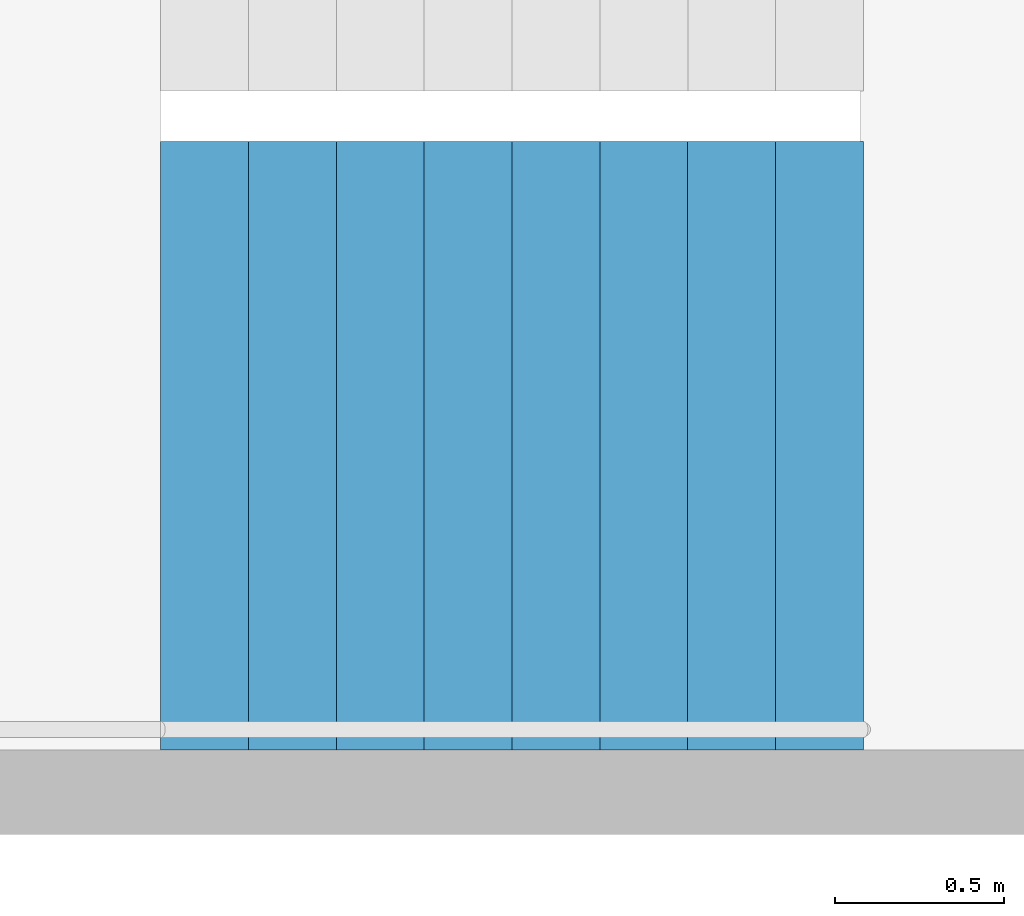
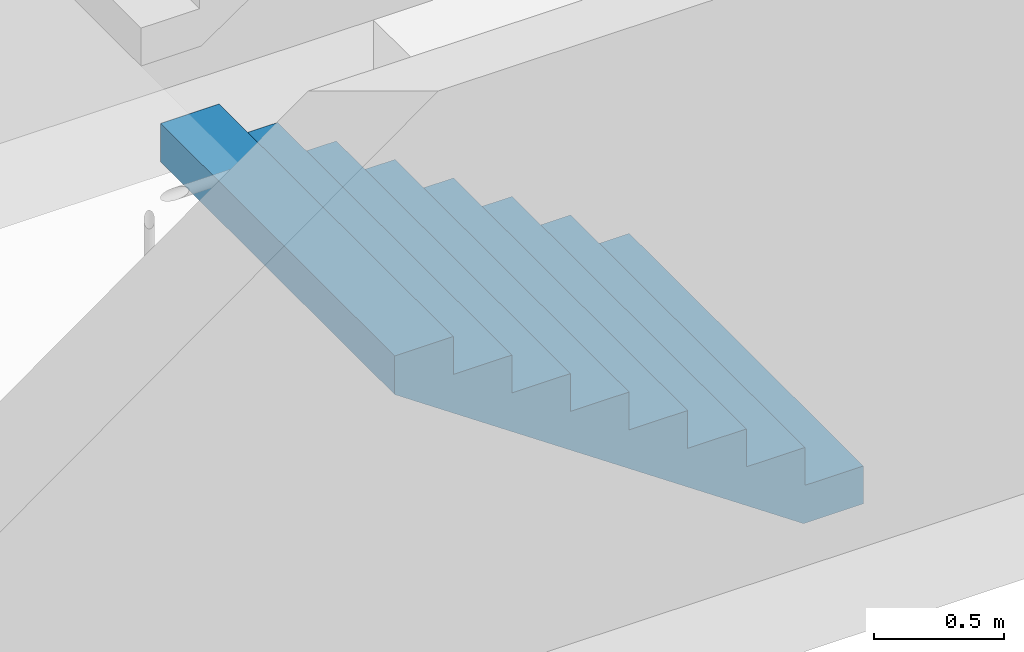
# One storey, part 26 of 28: 1 stair flight, 1 element without a shape of its own.
"""IFC4 building model written with IfcOpenShell, lengths in metres."""

from ifc_helpers import new_model, si_unit, direction, frame, origin, place, context, subcontext, project, spatial, triangles, material, type_object, element, aggregate, save


model = new_model("IFC4")

# Units and contexts
model_context = context("Model", 3, precision=1e-05, world=origin(), true_north=direction((0.0, 1.0)))
body_context = subcontext(model_context, "Body", "Model", "MODEL_VIEW")
ifc_project = project(units=[si_unit("LENGTHUNIT", "METRE"), si_unit("AREAUNIT", "SQUARE_METRE"), si_unit("VOLUMEUNIT", "CUBIC_METRE"), si_unit("PLANEANGLEUNIT", "RADIAN"), si_unit("MASSUNIT", "GRAM", prefix="KILO")], contexts=[model_context])

# Site, building, storey
site_placement = place(None, origin())
site = spatial("IfcSite", under=ifc_project, at=site_placement, CompositionType="ELEMENT")
building_placement = place(site_placement, origin())
building = spatial("IfcBuilding", under=site, at=building_placement, Name="Hakoniwa Tower and Hamabe Station Hall", CompositionType="ELEMENT")
storey_placement = place(building_placement, frame((0.0, 0.0, 48.60009765625)))
storey = spatial("IfcBuildingStorey", under=building, at=storey_placement, Name="L13", CompositionType="ELEMENT", Elevation=48.60009765625)

# Stair, stair flight
ifc_material_1 = material(Name="Concrete C40", Category="concrete")
stair_type = type_object("IfcStairType", Name="ESCAPE STAIR 1800", PredefinedType="HALF_TURN_STAIR", material=ifc_material_1)
stair_placement = place(storey_placement, origin())
stair = element("IfcStair", 1, at=stair_placement, inside=storey, type_object=stair_type, Name="Escape stair ST-3 L13", PredefinedType="HALF_TURN_STAIR")
ifc_material_2 = material(Name="Concrete C40", Category="concrete")
stair_flight_type = type_object("IfcStairFlightType", Name="STAIR FLIGHT 1800", PredefinedType="STRAIGHT", material=ifc_material_2)
stair_flight_placement = place(storey_placement, frame((24.39990234375, 4.64990234375, 0.0), z_axis=(0.0, 0.0, 1.0), x_axis=(-1.0, 0.0, 0.0)))
stair_flight = element("IfcStairFlight", 2, at=stair_flight_placement, type_object=stair_flight_type, Name="ST-3 flight 1", NumberOfRisers=9, NumberOfTreads=8, PredefinedType="STRAIGHT", RiserHeight=0.177777778, TreadLength=0.26, context=body_context, shape_type="Tessellation", body=[
    triangles([(0.0, 0.89990234375, 0.0), (0.260009765625, 0.89990234375, 0.0), (0.265625, 0.89990234375, 0.0), (0.52001953125, 0.89990234375, 0.174072265625), (0.780029296875, 0.89990234375, 0.351806640625), (1.0400390625, 0.89990234375, 0.529541015625), (1.300048828125, 0.89990234375, 0.707275390625), (1.56005859375, 0.89990234375, 0.885009765625), (1.820068359375, 0.89990234375, 1.062744140625), (2.080078125, 0.89990234375, 1.24072265625), (2.080078125, 0.89990234375, 1.422119140625), (1.820068359375, 0.89990234375, 1.422119140625), (1.820068359375, 0.89990234375, 1.244384765625), (1.56005859375, 0.89990234375, 1.244384765625), (1.56005859375, 0.89990234375, 1.066650390625), (1.300048828125, 0.89990234375, 1.066650390625), (1.300048828125, 0.89990234375, 0.888916015625), (1.0400390625, 0.89990234375, 0.888916015625), (1.0400390625, 0.89990234375, 0.711181640625), (0.780029296875, 0.89990234375, 0.711181640625), (0.780029296875, 0.89990234375, 0.533447265625), (0.52001953125, 0.89990234375, 0.533447265625), (0.52001953125, 0.89990234375, 0.35546875), (0.265625, 0.89990234375, 0.35546875), (0.260009765625, 0.89990234375, 0.35546875), (0.260009765625, 0.89990234375, 0.177734375), (0.0, 0.89990234375, 0.177734375), (0.0, 0.06005859375, 0.0), (0.260009765625, 0.06005859375, 0.0), (0.265625, 0.06005859375, 0.0), (0.52001953125, 0.06005859375, 0.174072265625), (0.780029296875, 0.06005859375, 0.351806640625), (1.0400390625, 0.06005859375, 0.529541015625), (1.300048828125, 0.06005859375, 0.707275390625), (1.56005859375, 0.06005859375, 0.885009765625), (1.820068359375, 0.06005859375, 1.062744140625), (2.080078125, 0.06005859375, 1.24072265625), (2.080078125, 0.06005859375, 1.422119140625), (1.820068359375, 0.06005859375, 1.422119140625), (1.820068359375, 0.06005859375, 1.244384765625), (1.56005859375, 0.06005859375, 1.244384765625), (1.56005859375, 0.06005859375, 1.066650390625), (1.300048828125, 0.06005859375, 1.066650390625), (1.300048828125, 0.06005859375, 0.888916015625), (1.0400390625, 0.06005859375, 0.888916015625), (1.0400390625, 0.06005859375, 0.711181640625), (0.780029296875, 0.06005859375, 0.711181640625), (0.780029296875, 0.06005859375, 0.533447265625), (0.52001953125, 0.06005859375, 0.533447265625), (0.52001953125, 0.06005859375, 0.35546875), (0.265625, 0.06005859375, 0.35546875), (0.260009765625, 0.06005859375, 0.35546875), (0.260009765625, 0.06005859375, 0.177734375), (0.0, 0.06005859375, 0.177734375), (0.0, 0.04296875, 0.0), (0.260009765625, 0.04296875, 0.0), (0.265625, 0.04296875, 0.0), (0.52001953125, 0.04296875, 0.174072265625), (0.780029296875, 0.04296875, 0.351806640625), (1.0400390625, 0.04296875, 0.529541015625), (1.300048828125, 0.04296875, 0.707275390625), (1.56005859375, 0.04296875, 0.885009765625), (1.820068359375, 0.04296875, 1.062744140625), (2.080078125, 0.04296875, 1.24072265625), (2.080078125, 0.04296875, 1.422119140625), (1.820068359375, 0.04296875, 1.422119140625), (1.820068359375, 0.04296875, 1.244384765625), (1.56005859375, 0.04296875, 1.244384765625), (1.56005859375, 0.04296875, 1.066650390625), (1.300048828125, 0.04296875, 1.066650390625), (1.300048828125, 0.04296875, 0.888916015625), (1.0400390625, 0.04296875, 0.888916015625), (1.0400390625, 0.04296875, 0.711181640625), (0.780029296875, 0.04296875, 0.711181640625), (0.780029296875, 0.04296875, 0.533447265625), (0.52001953125, 0.04296875, 0.533447265625), (0.52001953125, 0.04296875, 0.35546875), (0.265625, 0.04296875, 0.35546875), (0.260009765625, 0.04296875, 0.35546875), (0.260009765625, 0.04296875, 0.177734375), (0.0, 0.04296875, 0.177734375), (0.0, 0.025634765625, 0.0), (0.260009765625, 0.025634765625, 0.0), (0.265625, 0.025634765625, 0.0), (0.52001953125, 0.025634765625, 0.174072265625), (0.780029296875, 0.025634765625, 0.351806640625), (1.0400390625, 0.025634765625, 0.529541015625), (1.300048828125, 0.025634765625, 0.707275390625), (1.56005859375, 0.025634765625, 0.885009765625), (1.820068359375, 0.025634765625, 1.062744140625), (2.080078125, 0.025634765625, 1.24072265625), (2.080078125, 0.025634765625, 1.422119140625), (1.820068359375, 0.025634765625, 1.422119140625), (1.820068359375, 0.025634765625, 1.244384765625), (1.56005859375, 0.025634765625, 1.244384765625), (1.56005859375, 0.025634765625, 1.066650390625), (1.300048828125, 0.025634765625, 1.066650390625), (1.300048828125, 0.025634765625, 0.888916015625), (1.0400390625, 0.025634765625, 0.888916015625), (1.0400390625, 0.025634765625, 0.711181640625), (0.780029296875, 0.025634765625, 0.711181640625), (0.780029296875, 0.025634765625, 0.533447265625), (0.52001953125, 0.025634765625, 0.533447265625), (0.52001953125, 0.025634765625, 0.35546875), (0.265625, 0.025634765625, 0.35546875), (0.260009765625, 0.025634765625, 0.35546875), (0.260009765625, 0.025634765625, 0.177734375), (0.0, 0.025634765625, 0.177734375), (0.0, 0.008544921875, 0.0), (0.260009765625, 0.008544921875, 0.0), (0.265625, 0.008544921875, 0.0), (0.52001953125, 0.008544921875, 0.174072265625), (0.780029296875, 0.008544921875, 0.351806640625), (1.0400390625, 0.008544921875, 0.529541015625), (1.300048828125, 0.008544921875, 0.707275390625), (1.56005859375, 0.008544921875, 0.885009765625), (1.820068359375, 0.008544921875, 1.062744140625), (2.080078125, 0.008544921875, 1.24072265625), (2.080078125, 0.008544921875, 1.422119140625), (1.820068359375, 0.008544921875, 1.422119140625), (1.820068359375, 0.008544921875, 1.244384765625), (1.56005859375, 0.008544921875, 1.244384765625), (1.56005859375, 0.008544921875, 1.066650390625), (1.300048828125, 0.008544921875, 1.066650390625), (1.300048828125, 0.008544921875, 0.888916015625), (1.0400390625, 0.008544921875, 0.888916015625), (1.0400390625, 0.008544921875, 0.711181640625), (0.780029296875, 0.008544921875, 0.711181640625), (0.780029296875, 0.008544921875, 0.533447265625), (0.52001953125, 0.008544921875, 0.533447265625), (0.52001953125, 0.008544921875, 0.35546875), (0.265625, 0.008544921875, 0.35546875), (0.260009765625, 0.008544921875, 0.35546875), (0.260009765625, 0.008544921875, 0.177734375), (0.0, 0.008544921875, 0.177734375), (0.0, -0.008544921875, 0.0), (0.260009765625, -0.008544921875, 0.0), (0.265625, -0.008544921875, 0.0), (0.52001953125, -0.008544921875, 0.174072265625), (0.780029296875, -0.008544921875, 0.351806640625), (1.0400390625, -0.008544921875, 0.529541015625), (1.300048828125, -0.008544921875, 0.707275390625), (1.56005859375, -0.008544921875, 0.885009765625), (1.820068359375, -0.008544921875, 1.062744140625), (2.080078125, -0.008544921875, 1.24072265625), (2.080078125, -0.008544921875, 1.422119140625), (1.820068359375, -0.008544921875, 1.422119140625), (1.820068359375, -0.008544921875, 1.244384765625), (1.56005859375, -0.008544921875, 1.244384765625), (1.56005859375, -0.008544921875, 1.066650390625), (1.300048828125, -0.008544921875, 1.066650390625), (1.300048828125, -0.008544921875, 0.888916015625), (1.0400390625, -0.008544921875, 0.888916015625), (1.0400390625, -0.008544921875, 0.711181640625), (0.780029296875, -0.008544921875, 0.711181640625), (0.780029296875, -0.008544921875, 0.533447265625), (0.52001953125, -0.008544921875, 0.533447265625), (0.52001953125, -0.008544921875, 0.35546875), (0.265625, -0.008544921875, 0.35546875), (0.260009765625, -0.008544921875, 0.35546875), (0.260009765625, -0.008544921875, 0.177734375), (0.0, -0.008544921875, 0.177734375), (0.0, -0.025634765625, 0.0), (0.260009765625, -0.025634765625, 0.0), (0.265625, -0.025634765625, 0.0), (0.52001953125, -0.025634765625, 0.174072265625), (0.780029296875, -0.025634765625, 0.351806640625), (1.0400390625, -0.025634765625, 0.529541015625), (1.300048828125, -0.025634765625, 0.707275390625), (1.56005859375, -0.025634765625, 0.885009765625), (1.820068359375, -0.025634765625, 1.062744140625), (2.080078125, -0.025634765625, 1.24072265625), (2.080078125, -0.025634765625, 1.422119140625), (1.820068359375, -0.025634765625, 1.422119140625), (1.820068359375, -0.025634765625, 1.244384765625), (1.56005859375, -0.025634765625, 1.244384765625), (1.56005859375, -0.025634765625, 1.066650390625), (1.300048828125, -0.025634765625, 1.066650390625), (1.300048828125, -0.025634765625, 0.888916015625), (1.0400390625, -0.025634765625, 0.888916015625), (1.0400390625, -0.025634765625, 0.711181640625), (0.780029296875, -0.025634765625, 0.711181640625), (0.780029296875, -0.025634765625, 0.533447265625), (0.52001953125, -0.025634765625, 0.533447265625), (0.52001953125, -0.025634765625, 0.35546875), (0.265625, -0.025634765625, 0.35546875), (0.260009765625, -0.025634765625, 0.35546875), (0.260009765625, -0.025634765625, 0.177734375), (0.0, -0.025634765625, 0.177734375), (0.0, -0.04296875, 0.0), (0.260009765625, -0.04296875, 0.0), (0.265625, -0.04296875, 0.0), (0.52001953125, -0.04296875, 0.174072265625), (0.780029296875, -0.04296875, 0.351806640625), (1.0400390625, -0.04296875, 0.529541015625), (1.300048828125, -0.04296875, 0.707275390625), (1.56005859375, -0.04296875, 0.885009765625), (1.820068359375, -0.04296875, 1.062744140625), (2.080078125, -0.04296875, 1.24072265625), (2.080078125, -0.04296875, 1.422119140625), (1.820068359375, -0.04296875, 1.422119140625), (1.820068359375, -0.04296875, 1.244384765625), (1.56005859375, -0.04296875, 1.244384765625), (1.56005859375, -0.04296875, 1.066650390625), (1.300048828125, -0.04296875, 1.066650390625), (1.300048828125, -0.04296875, 0.888916015625), (1.0400390625, -0.04296875, 0.888916015625), (1.0400390625, -0.04296875, 0.711181640625), (0.780029296875, -0.04296875, 0.711181640625), (0.780029296875, -0.04296875, 0.533447265625), (0.52001953125, -0.04296875, 0.533447265625), (0.52001953125, -0.04296875, 0.35546875), (0.265625, -0.04296875, 0.35546875), (0.260009765625, -0.04296875, 0.35546875), (0.260009765625, -0.04296875, 0.177734375), (0.0, -0.04296875, 0.177734375), (0.0, -0.06005859375, 0.0), (0.260009765625, -0.06005859375, 0.0), (0.265625, -0.06005859375, 0.0), (0.52001953125, -0.06005859375, 0.174072265625), (0.780029296875, -0.06005859375, 0.351806640625), (1.0400390625, -0.06005859375, 0.529541015625), (1.300048828125, -0.06005859375, 0.707275390625), (1.56005859375, -0.06005859375, 0.885009765625), (1.820068359375, -0.06005859375, 1.062744140625), (2.080078125, -0.06005859375, 1.24072265625), (2.080078125, -0.06005859375, 1.422119140625), (1.820068359375, -0.06005859375, 1.422119140625), (1.820068359375, -0.06005859375, 1.244384765625), (1.56005859375, -0.06005859375, 1.244384765625), (1.56005859375, -0.06005859375, 1.066650390625), (1.300048828125, -0.06005859375, 1.066650390625), (1.300048828125, -0.06005859375, 0.888916015625), (1.0400390625, -0.06005859375, 0.888916015625), (1.0400390625, -0.06005859375, 0.711181640625), (0.780029296875, -0.06005859375, 0.711181640625), (0.780029296875, -0.06005859375, 0.533447265625), (0.52001953125, -0.06005859375, 0.533447265625), (0.52001953125, -0.06005859375, 0.35546875), (0.265625, -0.06005859375, 0.35546875), (0.260009765625, -0.06005859375, 0.35546875), (0.260009765625, -0.06005859375, 0.177734375), (0.0, -0.06005859375, 0.177734375), (0.0, -0.89990234375, 0.0), (0.260009765625, -0.89990234375, 0.0), (0.265625, -0.89990234375, 0.0), (0.52001953125, -0.89990234375, 0.174072265625), (0.780029296875, -0.89990234375, 0.351806640625), (1.0400390625, -0.89990234375, 0.529541015625), (1.300048828125, -0.89990234375, 0.707275390625), (1.56005859375, -0.89990234375, 0.885009765625), (1.820068359375, -0.89990234375, 1.062744140625), (2.080078125, -0.89990234375, 1.24072265625), (2.080078125, -0.89990234375, 1.422119140625), (1.820068359375, -0.89990234375, 1.422119140625), (1.820068359375, -0.89990234375, 1.244384765625), (1.56005859375, -0.89990234375, 1.244384765625), (1.56005859375, -0.89990234375, 1.066650390625), (1.300048828125, -0.89990234375, 1.066650390625), (1.300048828125, -0.89990234375, 0.888916015625), (1.0400390625, -0.89990234375, 0.888916015625), (1.0400390625, -0.89990234375, 0.711181640625), (0.780029296875, -0.89990234375, 0.711181640625), (0.780029296875, -0.89990234375, 0.533447265625), (0.52001953125, -0.89990234375, 0.533447265625), (0.52001953125, -0.89990234375, 0.35546875), (0.265625, -0.89990234375, 0.35546875), (0.260009765625, -0.89990234375, 0.35546875), (0.260009765625, -0.89990234375, 0.177734375), (0.0, -0.89990234375, 0.177734375)], [[2, 27, 26], [245, 269, 270], [2, 1, 27], [245, 270, 244], [3, 25, 24], [246, 267, 268], [3, 26, 25], [246, 268, 269], [3, 2, 26], [246, 269, 245], [4, 24, 23], [247, 266, 267], [4, 3, 24], [247, 267, 246], [5, 22, 21], [248, 264, 265], [5, 23, 22], [248, 265, 266], [5, 4, 23], [248, 266, 247], [6, 20, 19], [249, 262, 263], [6, 21, 20], [249, 263, 264], [6, 5, 21], [249, 264, 248], [7, 18, 17], [250, 260, 261], [7, 19, 18], [250, 261, 262], [7, 6, 19], [250, 262, 249], [8, 16, 15], [251, 258, 259], [8, 17, 16], [251, 259, 260], [8, 7, 17], [251, 260, 250], [9, 14, 13], [252, 256, 257], [9, 15, 14], [252, 257, 258], [9, 8, 15], [252, 258, 251], [10, 12, 11], [253, 254, 255], [10, 13, 12], [253, 255, 256], [10, 9, 13], [253, 256, 252], [1, 2, 29], [1, 29, 28], [28, 29, 56], [28, 56, 55], [55, 56, 83], [55, 83, 82], [82, 83, 110], [82, 110, 109], [109, 110, 137], [109, 137, 136], [136, 137, 164], [136, 164, 163], [163, 164, 191], [163, 191, 190], [190, 191, 218], [190, 218, 217], [217, 218, 245], [217, 245, 244], [2, 3, 30], [2, 30, 29], [29, 30, 57], [29, 57, 56], [56, 57, 84], [56, 84, 83], [83, 84, 111], [83, 111, 110], [110, 111, 138], [110, 138, 137], [137, 138, 165], [137, 165, 164], [164, 165, 192], [164, 192, 191], [191, 192, 219], [191, 219, 218], [218, 219, 246], [218, 246, 245], [3, 4, 31], [3, 31, 30], [30, 31, 58], [30, 58, 57], [57, 58, 85], [57, 85, 84], [84, 85, 112], [84, 112, 111], [111, 112, 139], [111, 139, 138], [138, 139, 166], [138, 166, 165], [165, 166, 193], [165, 193, 192], [192, 193, 220], [192, 220, 219], [219, 220, 247], [219, 247, 246], [4, 5, 32], [4, 32, 31], [31, 32, 59], [31, 59, 58], [58, 59, 86], [58, 86, 85], [85, 86, 113], [85, 113, 112], [112, 113, 140], [112, 140, 139], [139, 140, 167], [139, 167, 166], [166, 167, 194], [166, 194, 193], [193, 194, 221], [193, 221, 220], [220, 221, 248], [220, 248, 247], [5, 6, 33], [5, 33, 32], [32, 33, 60], [32, 60, 59], [59, 60, 87], [59, 87, 86], [86, 87, 114], [86, 114, 113], [113, 114, 141], [113, 141, 140], [140, 141, 168], [140, 168, 167], [167, 168, 195], [167, 195, 194], [194, 195, 222], [194, 222, 221], [221, 222, 249], [221, 249, 248], [6, 7, 34], [6, 34, 33], [33, 34, 61], [33, 61, 60], [60, 61, 88], [60, 88, 87], [87, 88, 115], [87, 115, 114], [114, 115, 142], [114, 142, 141], [141, 142, 169], [141, 169, 168], [168, 169, 196], [168, 196, 195], [195, 196, 223], [195, 223, 222], [222, 223, 250], [222, 250, 249], [7, 8, 35], [7, 35, 34], [34, 35, 62], [34, 62, 61], [61, 62, 89], [61, 89, 88], [88, 89, 116], [88, 116, 115], [115, 116, 143], [115, 143, 142], [142, 143, 170], [142, 170, 169], [169, 170, 197], [169, 197, 196], [196, 197, 224], [196, 224, 223], [223, 224, 251], [223, 251, 250], [8, 9, 36], [8, 36, 35], [35, 36, 63], [35, 63, 62], [62, 63, 90], [62, 90, 89], [89, 90, 117], [89, 117, 116], [116, 117, 144], [116, 144, 143], [143, 144, 171], [143, 171, 170], [170, 171, 198], [170, 198, 197], [197, 198, 225], [197, 225, 224], [224, 225, 252], [224, 252, 251], [9, 10, 37], [9, 37, 36], [36, 37, 64], [36, 64, 63], [63, 64, 91], [63, 91, 90], [90, 91, 118], [90, 118, 117], [117, 118, 145], [117, 145, 144], [144, 145, 172], [144, 172, 171], [171, 172, 199], [171, 199, 198], [198, 199, 226], [198, 226, 225], [225, 226, 253], [225, 253, 252], [10, 11, 38], [10, 38, 37], [37, 38, 65], [37, 65, 64], [64, 65, 92], [64, 92, 91], [91, 92, 119], [91, 119, 118], [118, 119, 146], [118, 146, 145], [145, 146, 173], [145, 173, 172], [172, 173, 200], [172, 200, 199], [199, 200, 227], [199, 227, 226], [226, 227, 254], [226, 254, 253], [11, 12, 39], [11, 39, 38], [38, 39, 66], [38, 66, 65], [65, 66, 93], [65, 93, 92], [92, 93, 120], [92, 120, 119], [119, 120, 147], [119, 147, 146], [146, 147, 174], [146, 174, 173], [173, 174, 201], [173, 201, 200], [200, 201, 228], [200, 228, 227], [227, 228, 255], [227, 255, 254], [12, 13, 40], [12, 40, 39], [39, 40, 67], [39, 67, 66], [66, 67, 94], [66, 94, 93], [93, 94, 121], [93, 121, 120], [120, 121, 148], [120, 148, 147], [147, 148, 175], [147, 175, 174], [174, 175, 202], [174, 202, 201], [201, 202, 229], [201, 229, 228], [228, 229, 256], [228, 256, 255], [13, 14, 41], [13, 41, 40], [40, 41, 68], [40, 68, 67], [67, 68, 95], [67, 95, 94], [94, 95, 122], [94, 122, 121], [121, 122, 149], [121, 149, 148], [148, 149, 176], [148, 176, 175], [175, 176, 203], [175, 203, 202], [202, 203, 230], [202, 230, 229], [229, 230, 257], [229, 257, 256], [14, 15, 42], [14, 42, 41], [41, 42, 69], [41, 69, 68], [68, 69, 96], [68, 96, 95], [95, 96, 123], [95, 123, 122], [122, 123, 150], [122, 150, 149], [149, 150, 177], [149, 177, 176], [176, 177, 204], [176, 204, 203], [203, 204, 231], [203, 231, 230], [230, 231, 258], [230, 258, 257], [15, 16, 43], [15, 43, 42], [42, 43, 70], [42, 70, 69], [69, 70, 97], [69, 97, 96], [96, 97, 124], [96, 124, 123], [123, 124, 151], [123, 151, 150], [150, 151, 178], [150, 178, 177], [177, 178, 205], [177, 205, 204], [204, 205, 232], [204, 232, 231], [231, 232, 259], [231, 259, 258], [16, 17, 44], [16, 44, 43], [43, 44, 71], [43, 71, 70], [70, 71, 98], [70, 98, 97], [97, 98, 125], [97, 125, 124], [124, 125, 152], [124, 152, 151], [151, 152, 179], [151, 179, 178], [178, 179, 206], [178, 206, 205], [205, 206, 233], [205, 233, 232], [232, 233, 260], [232, 260, 259], [17, 18, 45], [17, 45, 44], [44, 45, 72], [44, 72, 71], [71, 72, 99], [71, 99, 98], [98, 99, 126], [98, 126, 125], [125, 126, 153], [125, 153, 152], [152, 153, 180], [152, 180, 179], [179, 180, 207], [179, 207, 206], [206, 207, 234], [206, 234, 233], [233, 234, 261], [233, 261, 260], [18, 19, 46], [18, 46, 45], [45, 46, 73], [45, 73, 72], [72, 73, 100], [72, 100, 99], [99, 100, 127], [99, 127, 126], [126, 127, 154], [126, 154, 153], [153, 154, 181], [153, 181, 180], [180, 181, 208], [180, 208, 207], [207, 208, 235], [207, 235, 234], [234, 235, 262], [234, 262, 261], [19, 20, 47], [19, 47, 46], [46, 47, 74], [46, 74, 73], [73, 74, 101], [73, 101, 100], [100, 101, 128], [100, 128, 127], [127, 128, 155], [127, 155, 154], [154, 155, 182], [154, 182, 181], [181, 182, 209], [181, 209, 208], [208, 209, 236], [208, 236, 235], [235, 236, 263], [235, 263, 262], [20, 21, 48], [20, 48, 47], [47, 48, 75], [47, 75, 74], [74, 75, 102], [74, 102, 101], [101, 102, 129], [101, 129, 128], [128, 129, 156], [128, 156, 155], [155, 156, 183], [155, 183, 182], [182, 183, 210], [182, 210, 209], [209, 210, 237], [209, 237, 236], [236, 237, 264], [236, 264, 263], [21, 22, 49], [21, 49, 48], [48, 49, 76], [48, 76, 75], [75, 76, 103], [75, 103, 102], [102, 103, 130], [102, 130, 129], [129, 130, 157], [129, 157, 156], [156, 157, 184], [156, 184, 183], [183, 184, 211], [183, 211, 210], [210, 211, 238], [210, 238, 237], [237, 238, 265], [237, 265, 264], [22, 23, 50], [22, 50, 49], [49, 50, 77], [49, 77, 76], [76, 77, 104], [76, 104, 103], [103, 104, 131], [103, 131, 130], [130, 131, 158], [130, 158, 157], [157, 158, 185], [157, 185, 184], [184, 185, 212], [184, 212, 211], [211, 212, 239], [211, 239, 238], [238, 239, 266], [238, 266, 265], [23, 24, 51], [23, 51, 50], [50, 51, 78], [50, 78, 77], [77, 78, 105], [77, 105, 104], [104, 105, 132], [104, 132, 131], [131, 132, 159], [131, 159, 158], [158, 159, 186], [158, 186, 185], [185, 186, 213], [185, 213, 212], [212, 213, 240], [212, 240, 239], [239, 240, 267], [239, 267, 266], [24, 25, 52], [24, 52, 51], [51, 52, 79], [51, 79, 78], [78, 79, 106], [78, 106, 105], [105, 106, 133], [105, 133, 132], [132, 133, 160], [132, 160, 159], [159, 160, 187], [159, 187, 186], [186, 187, 214], [186, 214, 213], [213, 214, 241], [213, 241, 240], [240, 241, 268], [240, 268, 267], [25, 26, 53], [25, 53, 52], [52, 53, 80], [52, 80, 79], [79, 80, 107], [79, 107, 106], [106, 107, 134], [106, 134, 133], [133, 134, 161], [133, 161, 160], [160, 161, 188], [160, 188, 187], [187, 188, 215], [187, 215, 214], [214, 215, 242], [214, 242, 241], [241, 242, 269], [241, 269, 268], [26, 27, 54], [26, 54, 53], [53, 54, 81], [53, 81, 80], [80, 81, 108], [80, 108, 107], [107, 108, 135], [107, 135, 134], [134, 135, 162], [134, 162, 161], [161, 162, 189], [161, 189, 188], [188, 189, 216], [188, 216, 215], [215, 216, 243], [215, 243, 242], [242, 243, 270], [242, 270, 269], [27, 1, 28], [27, 28, 54], [54, 28, 55], [54, 55, 81], [81, 55, 82], [81, 82, 108], [108, 82, 109], [108, 109, 135], [135, 109, 136], [135, 136, 162], [162, 136, 163], [162, 163, 189], [189, 163, 190], [189, 190, 216], [216, 190, 217], [216, 217, 243], [243, 217, 244], [243, 244, 270]], closed=True),
])
aggregate(stair, [stair_flight])

save(model, "model.ifc")
